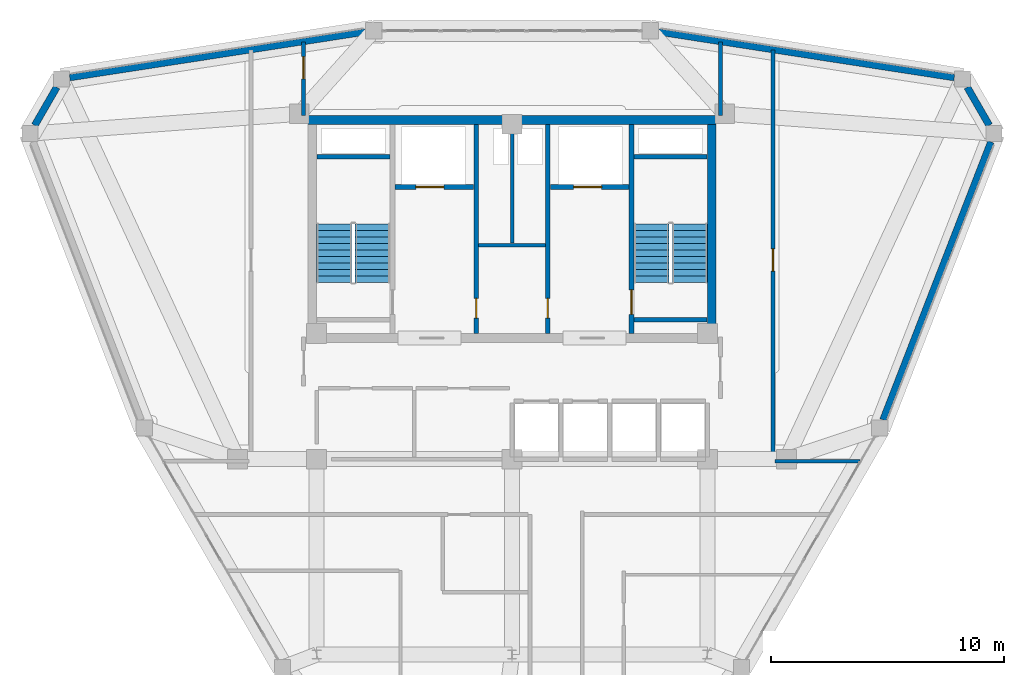
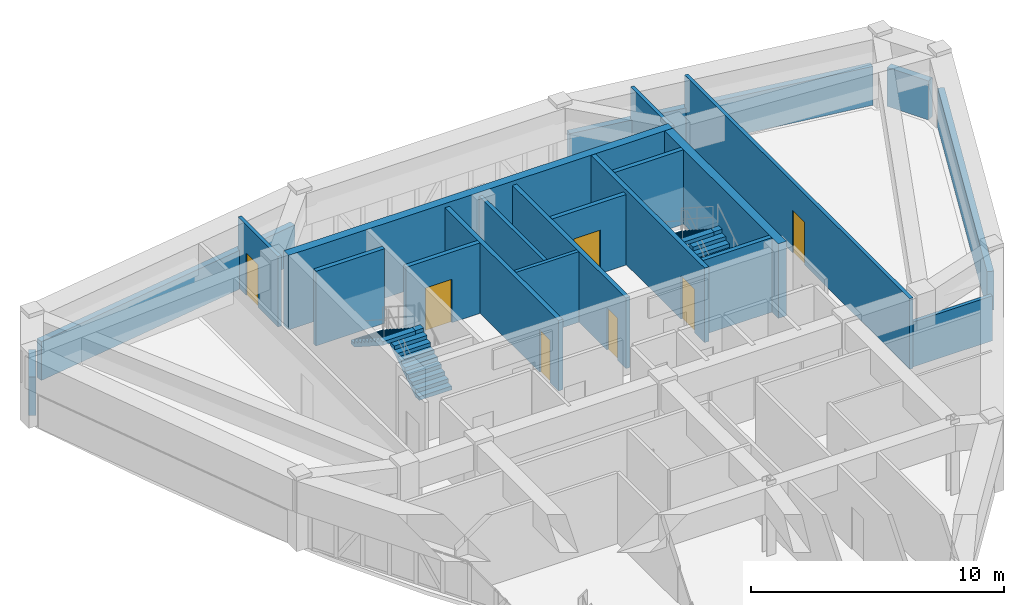
# One storey, part 12 of 14: 21 walls, 7 doors, 4 stair flights, 7 openings, 2 elements without a shape of their own.
"""IFC4 building model written with IfcOpenShell, lengths in metres."""

from ifc_helpers import new_model, si_unit, derived_unit, direction, frame, frame_2d, origin, place, context, subcontext, project, spatial, polyline, rectangle, outline, extrude, material, layer, layer_set, type_object, element, fill, aggregate, save


model = new_model("IFC4")

# Units and contexts
model_context = context("Model", 3, precision=1e-05, world=origin(), true_north=direction((0.0, 1.0)))
body_context = subcontext(model_context, "Body", "Model", "MODEL_VIEW")
ifc_project = project(units=[si_unit("LENGTHUNIT", "METRE"), si_unit("AREAUNIT", "SQUARE_METRE"), si_unit("VOLUMEUNIT", "CUBIC_METRE"), si_unit("PLANEANGLEUNIT", "RADIAN"), si_unit("MASSUNIT", "GRAM", prefix="KILO"), derived_unit("THERMALTRANSMITTANCEUNIT", [(si_unit("POWERUNIT", "WATT"), 1), (si_unit("LENGTHUNIT", "METRE"), -2), (si_unit("THERMODYNAMICTEMPERATUREUNIT", "KELVIN"), -1)])], contexts=[model_context])

# Site, building, storey
site_placement = place(None, origin())
site = spatial("IfcSite", under=ifc_project, at=site_placement, CompositionType="ELEMENT")
building_placement = place(site_placement, origin())
building = spatial("IfcBuilding", under=site, at=building_placement, Name="Korsvarv Bourse and Concert Hall", CompositionType="ELEMENT")
storey_placement = place(building_placement, frame((0.0, 0.0, 253.800048828125)))
storey = spatial("IfcBuildingStorey", under=building, at=storey_placement, Name="L66", CompositionType="ELEMENT", Elevation=253.800048828125)

# Walls
ifc_material_1 = material(Name="Concrete C50/60", Category="concrete")
ifc_layer_1 = layer(ifc_material_1, 0.3798828125)
ifc_layer_set_1 = layer_set([ifc_layer_1], Name="Concrete C50/60")
wall_type_1 = type_object("IfcWallType", Name="WL-CORE-380", PredefinedType="SHEAR", material=ifc_layer_set_1)
wall_1_placement = place(storey_placement, frame((27.219970703125, 46.989990234375, 0.0), z_axis=(0.0, 0.0, 1.0), x_axis=(1.0, 0.0, 0.0)))
element("IfcWall", 1, at=wall_1_placement, inside=storey, type_object=wall_type_1, Name="L66 North Core Shear Wall", PredefinedType="SHEAR", context=body_context, shape_type="SweptSolid", body=[
    extrude(rectangle(XDim=17.56005859375, YDim=0.3798828125, at=frame_2d((8.780029296875, 0.0))), origin(), (0.0, 0.0, 1.0), 3.599853515625),
])
wall_2_placement = place(storey_placement, frame((44.590087890625, 37.800048828125, 0.0), z_axis=(0.0, 0.0, 1.0), x_axis=(0.0, 1.0, 0.0)))
element("IfcWall", 2, at=wall_2_placement, inside=storey, type_object=wall_type_1, Name="L66 East Core Shear Wall", PredefinedType="SHEAR", context=body_context, shape_type="SweptSolid", body=[
    extrude(rectangle(XDim=9.0, YDim=0.3798828125, at=frame_2d((4.5, 0.0))), origin(), (0.0, 0.0, 1.0), 3.599853515625),
])
wall_3_placement = place(storey_placement, frame((27.610107421875, 45.39990234375, 0.0), z_axis=(0.0, 0.0, 1.0), x_axis=(1.0, 0.0, 0.0)))
element("IfcWall", 3, at=wall_3_placement, inside=storey, type_object=wall_type_1, Name="L66 stair shaft structural wall W-L66-ST1-N", PredefinedType="SHEAR", context=body_context, shape_type="SweptSolid", body=[
    extrude(rectangle(XDim=3.139892578125, YDim=0.199951171875, at=frame_2d((1.56982421875, 0.0))), origin(), (0.0, 0.0, 1.0), 3.599853515625),
])

# Wall, opening, door
wall_4_placement = place(storey_placement, frame((41.139892578125, 37.81005859375, 0.0), z_axis=(0.0, 0.0, 1.0), x_axis=(0.0, 1.0, 0.0)))
wall_4 = element("IfcWall", 4, at=wall_4_placement, inside=storey, type_object=wall_type_1, Name="L66 stair shaft structural wall W-L66-ST2-W", PredefinedType="SHEAR", context=body_context, shape_type="SweptSolid", body=[
    extrude(rectangle(XDim=8.97998046875, YDim=0.199951171875, at=frame_2d((4.489990234375, 0.0))), origin(), (0.0, 0.0, 1.0), 3.599853515625),
])
opening_1_placement = place(wall_4_placement, frame((0.820068359375, 0.0, 0.0)))
opening_1 = element("IfcOpeningElement", 5, at=opening_1_placement, cuts=wall_4, Name="Opening D-01", PredefinedType="OPENING", context=body_context, shape_type="SweptSolid", body=[
    extrude(rectangle(XDim=1.050048828125, YDim=2.10009765625, at=frame_2d((0.52490234375, 1.050048828125))), frame((0.0, 0.10986328125, 0.0), z_axis=(0.0, -1.0, 0.0), x_axis=(1.0, 0.0, 0.0)), (0.0, 0.0, 1.0), 0.219970703125),
])
ifc_material_2 = material(Name="Steel S355 fire door", Category="steel")
door_type_1 = type_object("IfcDoorType", Name="DR-FD60", OperationType="NOTDEFINED", PredefinedType="DOOR", material=ifc_material_2)
door_1_placement = place(opening_1_placement, frame((1.050048828125, 0.0, 0.0), z_axis=(0.0, 0.0, 1.0), x_axis=(-1.0, 0.0, 0.0)))
door_1 = element("IfcDoor", 6, at=door_1_placement, inside=storey, type_object=door_type_1, Name="L66 interior door DR-L66-ST2", OperationType="SINGLE_SWING_LEFT", OverallHeight=2.10009765625, OverallWidth=1.050048828125, PredefinedType="DOOR", context=body_context, shape_type="SweptSolid", body=[
    extrude(rectangle(XDim=1.050048828125, YDim=2.10009765625, at=frame_2d((0.52490234375, 1.050048828125))), frame((0.0, 0.02490234375, 0.0), z_axis=(0.0, -1.0, 0.0), x_axis=(1.0, 0.0, 0.0)), (0.0, 0.0, 1.0), 0.050048828125),
])
fill(opening_1, door_1)

# Walls
for number, where, z_axis, x_axis, name in (
    (7, (41.25, 45.39990234375, 0.0), (0.0, 0.0, 1.0), (1.0, 0.0, 0.0), "L66 stair shaft structural wall W-L66-ST2-N"),
    (8, (41.25, 38.39990234375, 0.0), (0.0, 0.0, 1.0), (1.0, 0.0, 0.0), "L66 stair shaft structural wall W-L66-ST2-S"),
):
    element("IfcWall", number, at=place(storey_placement, frame(where, z_axis=z_axis, x_axis=x_axis)), inside=storey, type_object=wall_type_1, Name=name, PredefinedType="SHEAR", context=body_context, shape_type="SweptSolid", body=[
        extrude(rectangle(XDim=3.139892578125, YDim=0.199951171875, at=frame_2d((1.56982421875, 0.0))), origin(), (0.0, 0.0, 1.0), 3.599853515625),
    ])
ifc_material_3 = material(Name="Precast concrete C45/55 with terracotta rainscreen", Category="concrete")
ifc_layer_2 = layer(ifc_material_3, 0.300048828125)
ifc_layer_set_2 = layer_set([ifc_layer_2], Name="Precast concrete C45/55 with terracotta rainscreen")
wall_type_2 = type_object("IfcWallType", Name="WL-EXT-TC1", PredefinedType="SOLIDWALL", material=ifc_layer_set_2)
for number, where, z_axis, x_axis, name in (
    (9, (56.520263671875, 46.754150390625, 0.0), (0.0, 0.0, 1.0), (-0.499994028088, 0.866028851642, 0.0), "L66 terracotta exterior wall EW-L66-B01"),
    (10, (16.426513671875, 48.39404296875, 0.0), (0.0, 0.0, 1.0), (-0.499994028088, -0.866028851642, 0.0), "L66 terracotta exterior wall EW-L66-B05"),
):
    element("IfcWall", number, at=place(storey_placement, frame(where, z_axis=z_axis, x_axis=x_axis)), inside=storey, type_object=wall_type_2, Name=name, PredefinedType="SOLIDWALL", context=body_context, shape_type="SweptSolid", body=[
        extrude(rectangle(XDim=1.8935546875, YDim=0.300048828125, at=frame_2d((0.94677734375, 0.0))), origin(), (0.0, 0.0, 1.0), 1.8798828125),
    ])
ifc_material_4 = material(Name="Precast concrete C45/55 with fluted terracotta pier", Category="concrete")
ifc_layer_3 = layer(ifc_material_4, 0.280029296875)
ifc_layer_set_3 = layer_set([ifc_layer_3], Name="Precast concrete C45/55 with fluted terracotta pier")
wall_type_3 = type_object("IfcWallType", Name="WL-EXT-TC2", PredefinedType="SOLIDWALL", material=ifc_layer_set_3)
for number, where, z_axis, x_axis, name in (
    (11, (55.013427734375, 48.8037109375, 0.0), (0.0, 0.0, 1.0), (-0.988274295057, 0.152688957457, 0.0), "L66 terracotta exterior wall EW-L66-B02"),
    (12, (29.69921875, 50.767822265625, 0.0), (0.0, 0.0, 1.0), (-0.988274295057, -0.152688957457, 0.0), "L66 terracotta exterior wall EW-L66-B04"),
):
    element("IfcWall", number, at=place(storey_placement, frame(where, z_axis=z_axis, x_axis=x_axis)), inside=storey, type_object=wall_type_3, Name=name, PredefinedType="SOLIDWALL", context=body_context, shape_type="SweptSolid", body=[
        extrude(rectangle(XDim=12.863525390625, YDim=0.280029296875, at=frame_2d((6.431640625, 0.0))), origin(), (0.0, 0.0, 1.0), 1.8798828125),
    ])
wall_5_placement = place(storey_placement, frame((51.947509765625, 34.0927734375, 0.0), z_axis=(0.0, 0.0, 1.0), x_axis=(0.36191228283, 0.932212153716, 0.0)))
element("IfcWall", 13, at=wall_5_placement, inside=storey, type_object=wall_type_3, Name="L66 terracotta exterior wall EW-L66-B12", PredefinedType="SOLIDWALL", context=body_context, shape_type="SweptSolid", body=[
    extrude(rectangle(XDim=12.820556640625, YDim=0.280029296875, at=frame_2d((6.41015625, 0.0))), origin(), (0.0, 0.0, 1.0), 1.8798828125),
])

# Wall, opening, door
ifc_material_5 = material(Name="Reinforced concrete blockwork C35/45 fire wall", Category="concrete")
ifc_layer_4 = layer(ifc_material_5, 0.199951171875)
ifc_layer_set_4 = layer_set([ifc_layer_4], Name="Reinforced concrete blockwork C35/45 fire wall")
wall_type_4 = type_object("IfcWallType", Name="WL-INT-EI120", PredefinedType="PARTITIONING", material=ifc_layer_set_4)
wall_6_placement = place(storey_placement, frame((30.969970703125, 44.10009765625, 0.0), z_axis=(0.0, 0.0, 1.0), x_axis=(1.0, 0.0, 0.0)))
wall_6 = element("IfcWall", 14, at=wall_6_placement, inside=storey, type_object=wall_type_4, Name="L66 interior partition wall W-L66-FF1-S", PredefinedType="PARTITIONING", context=body_context, shape_type="SweptSolid", body=[
    extrude(rectangle(XDim=3.380126953125, YDim=0.199951171875, at=frame_2d((1.68994140625, 0.0))), origin(), (0.0, 0.0, 1.0), 3.409912109375),
])
opening_2_placement = place(wall_6_placement, frame((0.89990234375, 0.0, 0.0)))
opening_2 = element("IfcOpeningElement", 15, at=opening_2_placement, cuts=wall_6, Name="Opening LD-1", PredefinedType="OPENING", context=body_context, shape_type="SweptSolid", body=[
    extrude(rectangle(XDim=1.199951171875, YDim=2.10009765625, at=frame_2d((0.60009765625, 1.050048828125))), frame((0.0, 0.10986328125, 0.0), z_axis=(0.0, -1.0, 0.0), x_axis=(1.0, 0.0, 0.0)), (0.0, 0.0, 1.0), 0.219970703125),
])
ifc_material_6 = material(Name="Stainless Steel S355 firefighting lift landing door", Category="steel")
door_type_2 = type_object("IfcDoorType", Name="DR-LIFT-FF", OperationType="DOUBLE_DOOR_SLIDING", PredefinedType="DOOR", material=ifc_material_6)
door_2_placement = place(opening_2_placement, origin())
door_2 = element("IfcDoor", 16, at=door_2_placement, inside=storey, type_object=door_type_2, Name="L66 lift sliding landing door LD-L66-FF1", OperationType="DOUBLE_DOOR_SLIDING", OverallHeight=2.10009765625, OverallWidth=1.199951171875, PredefinedType="DOOR", context=body_context, shape_type="SweptSolid", body=[
    extrude(rectangle(XDim=1.199951171875, YDim=2.10009765625, at=frame_2d((0.60009765625, 1.050048828125))), frame((0.0, 0.02490234375, 0.0), z_axis=(0.0, -1.0, 0.0), x_axis=(1.0, 0.0, 0.0)), (0.0, 0.0, 1.0), 0.050048828125),
])
fill(opening_2, door_2)

wall_7_placement = place(storey_placement, frame((37.64990234375, 44.10009765625, 0.0), z_axis=(0.0, 0.0, 1.0), x_axis=(1.0, 0.0, 0.0)))
wall_7 = element("IfcWall", 17, at=wall_7_placement, inside=storey, type_object=wall_type_4, Name="L66 interior partition wall W-L66-FF2-S", PredefinedType="PARTITIONING", context=body_context, shape_type="SweptSolid", body=[
    extrude(rectangle(XDim=3.380126953125, YDim=0.199951171875, at=frame_2d((1.68994140625, 0.0))), origin(), (0.0, 0.0, 1.0), 3.409912109375),
])
opening_3_placement = place(wall_7_placement, frame((1.0, 0.0, 0.0)))
opening_3 = element("IfcOpeningElement", 18, at=opening_3_placement, cuts=wall_7, Name="Opening LD-1", PredefinedType="OPENING", context=body_context, shape_type="SweptSolid", body=[
    extrude(rectangle(XDim=1.199951171875, YDim=2.10009765625, at=frame_2d((0.60009765625, 1.050048828125))), frame((0.0, 0.10986328125, 0.0), z_axis=(0.0, -1.0, 0.0), x_axis=(1.0, 0.0, 0.0)), (0.0, 0.0, 1.0), 0.219970703125),
])
door_3_placement = place(opening_3_placement, origin())
door_3 = element("IfcDoor", 19, at=door_3_placement, inside=storey, type_object=door_type_2, Name="L66 lift sliding landing door LD-L66-FF2", OperationType="DOUBLE_DOOR_SLIDING", OverallHeight=2.10009765625, OverallWidth=1.199951171875, PredefinedType="DOOR", context=body_context, shape_type="SweptSolid", body=[
    extrude(rectangle(XDim=1.199951171875, YDim=2.10009765625, at=frame_2d((0.60009765625, 1.050048828125))), frame((0.0, 0.02490234375, 0.0), z_axis=(0.0, -1.0, 0.0), x_axis=(1.0, 0.0, 0.0)), (0.0, 0.0, 1.0), 0.050048828125),
])
fill(opening_3, door_3)

wall_8_placement = place(storey_placement, frame((34.4599609375, 37.81005859375, 0.0), z_axis=(0.0, 0.0, 1.0), x_axis=(0.0, 1.0, 0.0)))
wall_8 = element("IfcWall", 20, at=wall_8_placement, inside=storey, type_object=wall_type_4, Name="L66 interior partition wall W-L66-CSB-W", PredefinedType="PARTITIONING", context=body_context, shape_type="SweptSolid", body=[
    extrude(rectangle(XDim=8.97998046875, YDim=0.199951171875, at=frame_2d((4.489990234375, 0.0))), origin(), (0.0, 0.0, 1.0), 3.409912109375),
])
opening_4_placement = place(wall_8_placement, frame((0.64990234375, 0.0, 0.0)))
opening_4 = element("IfcOpeningElement", 21, at=opening_4_placement, cuts=wall_8, Name="Opening D-05", PredefinedType="OPENING", context=body_context, shape_type="SweptSolid", body=[
    extrude(rectangle(XDim=0.85009765625, YDim=2.050048828125, at=frame_2d((0.425048828125, 1.02490234375))), frame((0.0, 0.10986328125, 0.0), z_axis=(0.0, -1.0, 0.0), x_axis=(1.0, 0.0, 0.0)), (0.0, 0.0, 1.0), 0.219970703125),
])
door_type_3 = type_object("IfcDoorType", Name="DR-FD60-850X2050", OperationType="NOTDEFINED", PredefinedType="DOOR", material=ifc_material_2)
door_4_placement = place(opening_4_placement, frame((0.85009765625, 0.0, 0.0), z_axis=(0.0, 0.0, 1.0), x_axis=(-1.0, 0.0, 0.0)))
door_4 = element("IfcDoor", 22, at=door_4_placement, inside=storey, type_object=door_type_3, Name="L66 interior door DR-L66-CSB1", OperationType="SINGLE_SWING_RIGHT", OverallHeight=2.050048828125, OverallWidth=0.85009765625, PredefinedType="DOOR", context=body_context, shape_type="SweptSolid", body=[
    extrude(rectangle(XDim=0.85009765625, YDim=2.050048828125, at=frame_2d((0.425048828125, 1.02490234375))), frame((0.0, 0.02490234375, 0.0), z_axis=(0.0, -1.0, 0.0), x_axis=(1.0, 0.0, 0.0)), (0.0, 0.0, 1.0), 0.050048828125),
])
fill(opening_4, door_4)

wall_9_placement = place(storey_placement, frame((37.5400390625, 37.81005859375, 0.0), z_axis=(0.0, 0.0, 1.0), x_axis=(0.0, 1.0, 0.0)))
wall_9 = element("IfcWall", 23, at=wall_9_placement, inside=storey, type_object=wall_type_4, Name="L66 interior partition wall W-L66-CSB-E", PredefinedType="PARTITIONING", context=body_context, shape_type="SweptSolid", body=[
    extrude(rectangle(XDim=8.97998046875, YDim=0.199951171875, at=frame_2d((4.489990234375, 0.0))), origin(), (0.0, 0.0, 1.0), 3.409912109375),
])
opening_5_placement = place(wall_9_placement, frame((0.64990234375, 0.0, 0.0)))
opening_5 = element("IfcOpeningElement", 24, at=opening_5_placement, cuts=wall_9, Name="Opening D-05", PredefinedType="OPENING", context=body_context, shape_type="SweptSolid", body=[
    extrude(rectangle(XDim=0.85009765625, YDim=2.050048828125, at=frame_2d((0.425048828125, 1.02490234375))), frame((0.0, 0.10986328125, 0.0), z_axis=(0.0, -1.0, 0.0), x_axis=(1.0, 0.0, 0.0)), (0.0, 0.0, 1.0), 0.219970703125),
])
door_5_placement = place(opening_5_placement, origin())
door_5 = element("IfcDoor", 25, at=door_5_placement, inside=storey, type_object=door_type_3, Name="L66 interior door DR-L66-CSB2", OperationType="SINGLE_SWING_LEFT", OverallHeight=2.050048828125, OverallWidth=0.85009765625, PredefinedType="DOOR", context=body_context, shape_type="SweptSolid", body=[
    extrude(rectangle(XDim=0.85009765625, YDim=2.050048828125, at=frame_2d((0.425048828125, 1.02490234375))), frame((0.0, 0.02490234375, 0.0), z_axis=(0.0, -1.0, 0.0), x_axis=(1.0, 0.0, 0.0)), (0.0, 0.0, 1.0), 0.050048828125),
])
fill(opening_5, door_5)

# Walls
ifc_material_7 = material(Name="Double-stud fire-rated acoustic partition", Category="gypsum")
ifc_layer_5 = layer(ifc_material_7, 0.159912109375)
ifc_layer_set_5 = layer_set([ifc_layer_5], Name="Double-stud fire-rated acoustic partition")
wall_type_5 = type_object("IfcWallType", Name="WL-INT-EI60", PredefinedType="PARTITIONING", material=ifc_layer_set_5)
wall_10_placement = place(storey_placement, frame((34.570068359375, 41.60009765625, 0.0), z_axis=(0.0, 0.0, 1.0), x_axis=(1.0, 0.0, 0.0)))
element("IfcWall", 26, at=wall_10_placement, inside=storey, type_object=wall_type_5, Name="L66 interior partition wall W-L66-K1", PredefinedType="PARTITIONING", context=body_context, shape_type="SweptSolid", body=[
    extrude(rectangle(XDim=2.85986328125, YDim=0.159912109375, at=frame_2d((1.429931640625, 0.0))), origin(), (0.0, 0.0, 1.0), 3.409912109375),
])
wall_11_placement = place(storey_placement, frame((36.0048828125, 41.68994140625, 0.0), z_axis=(0.0, 0.0, 1.0), x_axis=(0.0, 1.0, 0.0)))
element("IfcWall", 27, at=wall_11_placement, inside=storey, type_object=wall_type_5, Name="L66 interior partition wall W-L66-K2", PredefinedType="PARTITIONING", context=body_context, shape_type="SweptSolid", body=[
    extrude(rectangle(XDim=5.10009765625, YDim=0.159912109375, at=frame_2d((2.550048828125, 0.0))), origin(), (0.0, 0.0, 1.0), 3.409912109375),
])

# Wall, opening, door
wall_12_placement = place(storey_placement, frame((47.22509765625, 32.159912109375, 0.0), z_axis=(0.0, 0.0, 1.0), x_axis=(0.0, 1.0, 0.0)))
wall_12 = element("IfcWall", 28, at=wall_12_placement, inside=storey, type_object=wall_type_5, Name="L66 interior partition wall W-L66-TCOR-01", PredefinedType="PARTITIONING", context=body_context, shape_type="SweptSolid", body=[
    extrude(rectangle(XDim=17.8271484375, YDim=0.159912109375, at=frame_2d((8.91357421875, 0.0))), origin(), (0.0, 0.0, 1.0), 3.409912109375),
])
opening_6_placement = place(wall_12_placement, frame((8.330322265625, 0.0, 0.0)))
opening_6 = element("IfcOpeningElement", 29, at=opening_6_placement, cuts=wall_12, Name="Opening D-02", PredefinedType="OPENING", context=body_context, shape_type="SweptSolid", body=[
    extrude(rectangle(XDim=0.949951171875, YDim=2.050048828125, at=frame_2d((0.47509765625, 1.02490234375))), frame((0.0, 0.08984375, 0.0), z_axis=(0.0, -1.0, 0.0), x_axis=(1.0, 0.0, 0.0)), (0.0, 0.0, 1.0), 0.179931640625),
])
ifc_material_8 = material(Name="Timber and steel acoustic fire door", Category="wood")
door_type_4 = type_object("IfcDoorType", Name="DR-FD30", OperationType="NOTDEFINED", PredefinedType="DOOR", material=ifc_material_8)
door_6_placement = place(opening_6_placement, origin())
door_6 = element("IfcDoor", 30, at=door_6_placement, inside=storey, type_object=door_type_4, Name="L66 interior door DR-L66-TCOR-NEP1", OperationType="SINGLE_SWING_RIGHT", OverallHeight=2.050048828125, OverallWidth=0.949951171875, PredefinedType="DOOR", context=body_context, shape_type="SweptSolid", body=[
    extrude(rectangle(XDim=0.949951171875, YDim=2.050048828125, at=frame_2d((0.47509765625, 1.02490234375))), frame((0.0, 0.02490234375, 0.0), z_axis=(0.0, -1.0, 0.0), x_axis=(1.0, 0.0, 0.0)), (0.0, 0.0, 1.0), 0.050048828125),
])
fill(opening_6, door_6)

# Wall
wall_13_placement = place(storey_placement, frame((47.306884765625, 32.31494140625, 0.0), z_axis=(0.0, 0.0, 1.0), x_axis=(1.0, 0.0, 0.0)))
element("IfcWall", 31, at=wall_13_placement, inside=storey, type_object=wall_type_5, Name="L66 interior partition wall W-L66-TCOR-08", PredefinedType="PARTITIONING", context=body_context, shape_type="SweptSolid", body=[
    extrude(rectangle(XDim=3.661376953125, YDim=0.159912109375, at=frame_2d((1.83056640625, 0.0))), origin(), (0.0, 0.0, 1.0), 2.169921875),
])

# Wall, opening, door
wall_14_placement = place(storey_placement, frame((27.034912109375, 47.179931640625, 0.0), z_axis=(0.0, 0.0, 1.0), x_axis=(0.0, 1.0, 0.0)))
wall_14 = element("IfcWall", 32, at=wall_14_placement, inside=storey, type_object=wall_type_5, Name="L66 interior partition wall W-L66-TCOR-09", PredefinedType="PARTITIONING", context=body_context, shape_type="SweptSolid", body=[
    extrude(rectangle(XDim=3.15625, YDim=0.159912109375, at=frame_2d((1.578125, 0.0))), origin(), (0.0, 0.0, 1.0), 3.409912109375),
])
opening_7_placement = place(wall_14_placement, frame((1.576171875, 0.0, 0.0)))
opening_7 = element("IfcOpeningElement", 33, at=opening_7_placement, cuts=wall_14, Name="Opening D-02", PredefinedType="OPENING", context=body_context, shape_type="SweptSolid", body=[
    extrude(rectangle(XDim=0.949951171875, YDim=2.050048828125, at=frame_2d((0.47509765625, 1.02490234375))), frame((0.0, 0.08984375, 0.0), z_axis=(0.0, -1.0, 0.0), x_axis=(1.0, 0.0, 0.0)), (0.0, 0.0, 1.0), 0.179931640625),
])
door_7_placement = place(opening_7_placement, origin())
door_7 = element("IfcDoor", 34, at=door_7_placement, inside=storey, type_object=door_type_4, Name="L66 interior door DR-L66-TCOR-NWB4", OperationType="SINGLE_SWING_LEFT", OverallHeight=2.050048828125, OverallWidth=0.949951171875, PredefinedType="DOOR", context=body_context, shape_type="SweptSolid", body=[
    extrude(rectangle(XDim=0.949951171875, YDim=2.050048828125, at=frame_2d((0.47509765625, 1.02490234375))), frame((0.0, 0.02490234375, 0.0), z_axis=(0.0, -1.0, 0.0), x_axis=(1.0, 0.0, 0.0)), (0.0, 0.0, 1.0), 0.050048828125),
])
fill(opening_7, door_7)

# Wall
wall_15_placement = place(storey_placement, frame((44.965087890625, 47.18310546875, 0.0), z_axis=(0.0, 0.0, 1.0), x_axis=(0.0, 1.0, 0.0)))
element("IfcWall", 35, at=wall_15_placement, inside=storey, type_object=wall_type_5, Name="L66 interior partition wall W-L66-TCOR-10", PredefinedType="PARTITIONING", context=body_context, shape_type="SweptSolid", body=[
    extrude(rectangle(XDim=3.153076171875, YDim=0.159912109375, at=frame_2d((1.57666015625, 0.0))), origin(), (0.0, 0.0, 1.0), 3.409912109375),
])

# Stair, stair flights
ifc_material_9 = material(Name="Precast concrete C45/55", Category="concrete")
stair_type = type_object("IfcStairType", Name="STR-TYPE-04", PredefinedType="HALF_TURN_STAIR", material=ifc_material_9)
stair_1_placement = place(storey_placement, origin())
stair_1 = element("IfcStair", 36, at=stair_1_placement, inside=storey, type_object=stair_type, Name="L66 Tower West Exit Stair ST-T1", PredefinedType="HALF_TURN_STAIR")
stair_flight_type = type_object("IfcStairFlightType", Name="FLT-TYPE-04", PredefinedType="STRAIGHT", material=ifc_material_9)
stair_flight_1_placement = place(storey_placement, frame((30.010009765625, 40.0, 0.0), z_axis=(0.0, 0.0, 1.0), x_axis=(0.0, 1.0, 0.0)))
stair_flight_1 = element("IfcStairFlight", 37, at=stair_flight_1_placement, type_object=stair_flight_type, Name="ST-T1 flight 1", NumberOfRisers=10, NumberOfTreads=9, PredefinedType="STRAIGHT", RiserHeight=0.18, TreadLength=0.28, context=body_context, shape_type="SweptSolid", body=[
    extrude(outline(polyline([(0.0, 0.0), (0.0, 0.179931640625), (0.280029296875, 0.179931640625), (0.280029296875, 0.360107421875), (0.56005859375, 0.360107421875), (0.56005859375, 0.5400390625), (0.840087890625, 0.5400390625), (0.840087890625, 0.719970703125), (1.1201171875, 0.719970703125), (1.1201171875, 0.89990234375), (1.39990234375, 0.89990234375), (1.39990234375, 1.080078125), (1.679931640625, 1.080078125), (1.679931640625, 1.260009765625), (1.9599609375, 1.260009765625), (1.9599609375, 1.43994140625), (2.239990234375, 1.43994140625), (2.239990234375, 1.6201171875), (2.52001953125, 1.6201171875), (2.52001953125, 1.800048828125), (2.52001953125, 1.44189453125), (0.277099609375, 0.0), (0.0, 0.0)])), frame((0.0, 0.75, 0.0), z_axis=(0.0, -1.0, 0.0), x_axis=(1.0, 0.0, 0.0)), (0.0, 0.0, 1.0), 1.5),
])
stair_flight_2_placement = place(storey_placement, frame((28.35009765625, 42.52001953125, 1.800048828125), z_axis=(0.0, 0.0, 1.0), x_axis=(0.0, -1.0, 0.0)))
stair_flight_2 = element("IfcStairFlight", 38, at=stair_flight_2_placement, type_object=stair_flight_type, Name="ST-T1 flight 2", NumberOfRisers=10, NumberOfTreads=9, PredefinedType="STRAIGHT", RiserHeight=0.18, TreadLength=0.28, context=body_context, shape_type="SweptSolid", body=[
    extrude(outline(polyline([(0.0, 0.0), (0.0, 0.179931640625), (0.280029296875, 0.179931640625), (0.280029296875, 0.360107421875), (0.56005859375, 0.360107421875), (0.56005859375, 0.5400390625), (0.840087890625, 0.5400390625), (0.840087890625, 0.719970703125), (1.1201171875, 0.719970703125), (1.1201171875, 0.89990234375), (1.39990234375, 0.89990234375), (1.39990234375, 1.080078125), (1.679931640625, 1.080078125), (1.679931640625, 1.260009765625), (1.9599609375, 1.260009765625), (1.9599609375, 1.43994140625), (2.239990234375, 1.43994140625), (2.239990234375, 1.6201171875), (2.52001953125, 1.6201171875), (2.52001953125, 1.800048828125), (2.52001953125, 1.44189453125), (0.277099609375, 0.0), (0.0, 0.0)])), frame((0.0, 0.75, 0.0), z_axis=(0.0, -1.0, 0.0), x_axis=(1.0, 0.0, 0.0)), (0.0, 0.0, 1.0), 1.5),
])
aggregate(stair_1, [stair_flight_1, stair_flight_2])

stair_2_placement = place(storey_placement, origin())
stair_2 = element("IfcStair", 39, at=stair_2_placement, inside=storey, type_object=stair_type, Name="L66 Tower East Exit Stair ST-T2", PredefinedType="HALF_TURN_STAIR")
stair_flight_3_placement = place(storey_placement, frame((43.64990234375, 40.0, 0.0), z_axis=(0.0, 0.0, 1.0), x_axis=(0.0, 1.0, 0.0)))
stair_flight_3 = element("IfcStairFlight", 40, at=stair_flight_3_placement, type_object=stair_flight_type, Name="ST-T2 flight 1", NumberOfRisers=10, NumberOfTreads=9, PredefinedType="STRAIGHT", RiserHeight=0.18, TreadLength=0.28, context=body_context, shape_type="SweptSolid", body=[
    extrude(outline(polyline([(0.0, 0.0), (0.0, 0.179931640625), (0.280029296875, 0.179931640625), (0.280029296875, 0.360107421875), (0.56005859375, 0.360107421875), (0.56005859375, 0.5400390625), (0.840087890625, 0.5400390625), (0.840087890625, 0.719970703125), (1.1201171875, 0.719970703125), (1.1201171875, 0.89990234375), (1.39990234375, 0.89990234375), (1.39990234375, 1.080078125), (1.679931640625, 1.080078125), (1.679931640625, 1.260009765625), (1.9599609375, 1.260009765625), (1.9599609375, 1.43994140625), (2.239990234375, 1.43994140625), (2.239990234375, 1.6201171875), (2.52001953125, 1.6201171875), (2.52001953125, 1.800048828125), (2.52001953125, 1.44189453125), (0.277099609375, 0.0), (0.0, 0.0)])), frame((0.0, 0.75, 0.0), z_axis=(0.0, -1.0, 0.0), x_axis=(1.0, 0.0, 0.0)), (0.0, 0.0, 1.0), 1.5),
])
stair_flight_4_placement = place(storey_placement, frame((41.989990234375, 42.52001953125, 1.800048828125), z_axis=(0.0, 0.0, 1.0), x_axis=(0.0, -1.0, 0.0)))
stair_flight_4 = element("IfcStairFlight", 41, at=stair_flight_4_placement, type_object=stair_flight_type, Name="ST-T2 flight 2", NumberOfRisers=10, NumberOfTreads=9, PredefinedType="STRAIGHT", RiserHeight=0.18, TreadLength=0.28, context=body_context, shape_type="SweptSolid", body=[
    extrude(outline(polyline([(0.0, 0.0), (0.0, 0.179931640625), (0.280029296875, 0.179931640625), (0.280029296875, 0.360107421875), (0.56005859375, 0.360107421875), (0.56005859375, 0.5400390625), (0.840087890625, 0.5400390625), (0.840087890625, 0.719970703125), (1.1201171875, 0.719970703125), (1.1201171875, 0.89990234375), (1.39990234375, 0.89990234375), (1.39990234375, 1.080078125), (1.679931640625, 1.080078125), (1.679931640625, 1.260009765625), (1.9599609375, 1.260009765625), (1.9599609375, 1.43994140625), (2.239990234375, 1.43994140625), (2.239990234375, 1.6201171875), (2.52001953125, 1.6201171875), (2.52001953125, 1.800048828125), (2.52001953125, 1.44189453125), (0.277099609375, 0.0), (0.0, 0.0)])), frame((0.0, 0.75, 0.0), z_axis=(0.0, -1.0, 0.0), x_axis=(1.0, 0.0, 0.0)), (0.0, 0.0, 1.0), 1.5),
])
aggregate(stair_2, [stair_flight_3, stair_flight_4])

save(model, "model.ifc")
